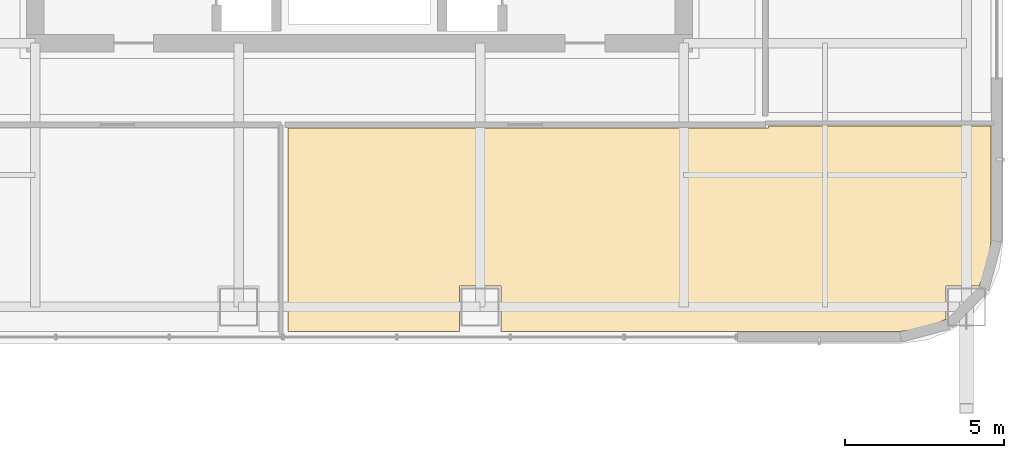
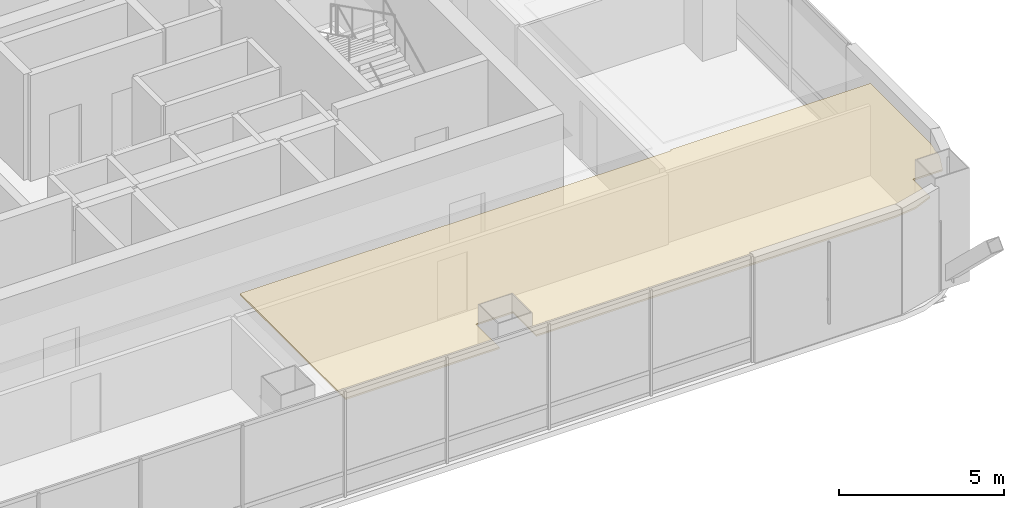
# One storey, part 44 of 51: 1 covering.
"""IFC4 building model written with IfcOpenShell, lengths in metres."""

from ifc_helpers import new_model, si_unit, direction, frame, origin, place, context, subcontext, project, spatial, polyline, outline, extrude, material, layer, layer_set, type_object, element, save


model = new_model("IFC4")

# Units and contexts
model_context = context("Model", 3, precision=1e-05, world=origin(), true_north=direction((0.0, 1.0)))
body_context = subcontext(model_context, "Body", "Model", "MODEL_VIEW")
ifc_project = project(units=[si_unit("LENGTHUNIT", "METRE"), si_unit("AREAUNIT", "SQUARE_METRE"), si_unit("VOLUMEUNIT", "CUBIC_METRE"), si_unit("PLANEANGLEUNIT", "RADIAN"), si_unit("MASSUNIT", "GRAM", prefix="KILO")], contexts=[model_context])

# Site, building, storey
site_placement = place(None, origin())
site = spatial("IfcSite", under=ifc_project, at=site_placement, CompositionType="ELEMENT")
building_placement = place(site_placement, origin())
building = spatial("IfcBuilding", under=site, at=building_placement, Name="Punatoya Terracotta Tower", CompositionType="ELEMENT")
storey_placement = place(building_placement, frame((0.0, 0.0, 313.199951171875)))
storey = spatial("IfcBuildingStorey", under=building, at=storey_placement, Name="L74", CompositionType="ELEMENT", Elevation=313.199951171875)

# Covering
ifc_material = material(Name="Acoustic Mineral Fibre Ceiling")
ifc_layer = layer(ifc_material, 0.06005859375)
ifc_layer_set = layer_set([ifc_layer], Name="Acoustic Mineral Fibre Ceiling")
covering_type = type_object("IfcCoveringType", Name="COV-CEIL-60", PredefinedType="CEILING", material=ifc_layer_set)
covering_placement = place(storey_placement, frame((0.0, 0.0, 3.39013671875)))
element("IfcCovering", 1, at=covering_placement, inside=storey, type_object=covering_type, Name="L74 Open-Plan Occupational Rest Lounge Acoustic Ceiling", PredefinedType="CEILING", context=body_context, shape_type="SweptSolid", body=[
    extrude(outline(polyline([(3.14990234375, -18.27001953125), (3.14990234375, -16.85009765625), (4.449951171875, -16.85009765625), (4.449951171875, -18.27001953125), (17.025146484375, -18.27001953125), (17.779052734375, -18.1708984375), (18.449951171875, -17.892822265625), (18.449951171875, -16.85009765625), (19.492919921875, -16.85009765625), (19.770751953125, -16.178955078125), (19.8701171875, -15.425048828125), (19.8701171875, -11.81005859375), (12.8701171875, -11.81005859375), (12.8701171875, -11.8701171875), (-2.239990234375, -11.8701171875), (-2.239990234375, -18.27001953125), (3.14990234375, -18.27001953125)])), origin(), (0.0, 0.0, 1.0), 0.059814453125),
])

save(model, "model.ifc")
